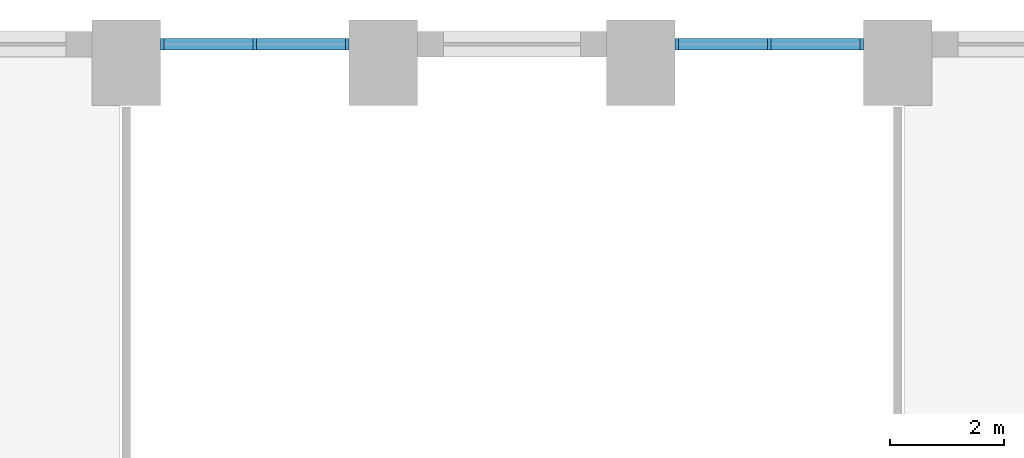
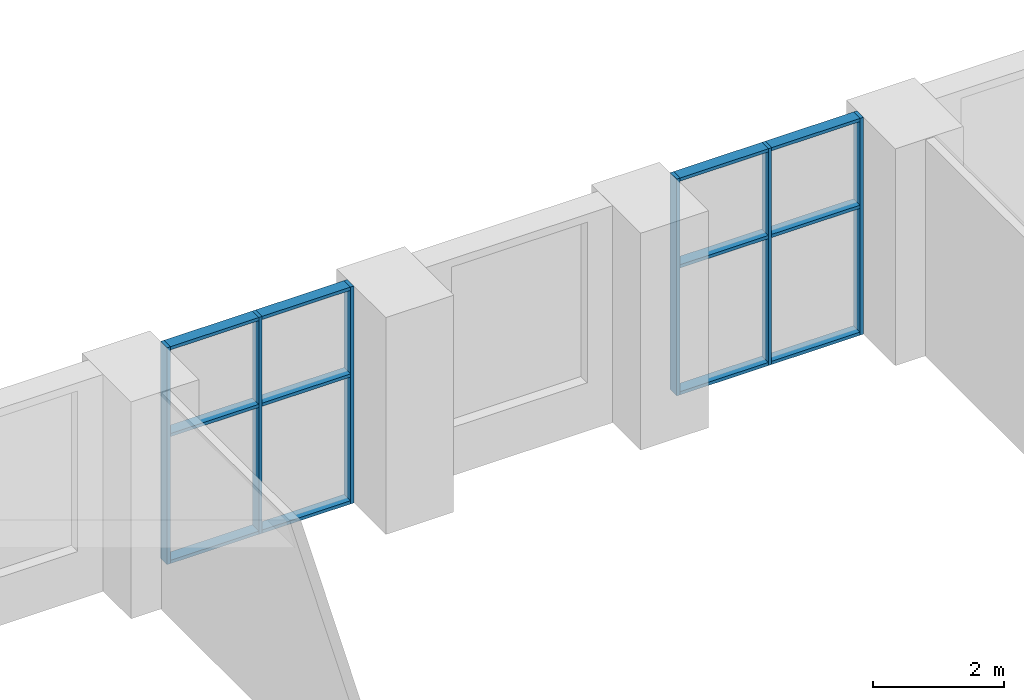
# One storey, part 8 of 42: 18 members, 2 elements without a shape of their own.
"""IFC4 building model written with IfcOpenShell, lengths in metres."""

import ifcopenshell
import ifcopenshell.guid

model = None  # the IFC model being written
_history = None  # IfcOwnerHistory: only IFC2X3 demands one
_inside = {}  # id of a spatial element -> (the spatial element, [elements in it])
_under = {}  # id of a project, library or spatial element -> (it, [spatial elements below it])
_declared = {}  # id of a project -> (the project, [libraries it declares])
_typed = {}  # id of a type object -> (the type object, [elements of that type])
_made_of = {}  # id of a material, layer set ... -> (it, [elements and type objects made of it])


def new_model(schema):
    """Start an empty IFC model of exactly this schema.

    Asked for "IFC4X3", IfcOpenShell would pick the latest addendum, in which some entities
    have other attributes; the version numbers below select the first issue.
    IFC2X3 requires an IfcOwnerHistory on every rooted entity: one is made here for all.
    """
    global model, _history
    if schema == "IFC4X3":
        model = ifcopenshell.file(schema_version=(4, 3, 0, 0))
    else:
        model = ifcopenshell.file(schema=schema)
    _inside.clear()
    _under.clear()
    _declared.clear()
    _typed.clear()
    _made_of.clear()
    _history = None
    if model.schema == "IFC2X3":
        org = make("IfcOrganization", Name="unknown")
        user = make(
            "IfcPersonAndOrganization",
            ThePerson=make("IfcPerson", FamilyName="unknown"),
            TheOrganization=org,
        )
        app = make(
            "IfcApplication",
            ApplicationDeveloper=org,
            Version="unknown",
            ApplicationFullName="unknown",
            ApplicationIdentifier="unknown",
        )
        _history = make(
            "IfcOwnerHistory",
            OwningUser=user,
            OwningApplication=app,
            ChangeAction="ADDED",
            CreationDate=0,
        )
    return model


def make(cls, **values):
    """One entity of the class cls with the attributes given. An attribute that is None is left unset."""
    return model.create_entity(
        cls, **{name: value for name, value in values.items() if value is not None}
    )


def rooted(cls, **values):
    """An entity with a GlobalId (a new one), such as an element, a storey or a relation."""
    return make(cls, GlobalId=ifcopenshell.guid.new(), OwnerHistory=_history, **values)


def si_unit(unit_type, name, prefix=None):
    """IfcSIUnit, for example si_unit("LENGTHUNIT", "METRE", prefix="MILLI")."""
    return make("IfcSIUnit", UnitType=unit_type, Prefix=prefix, Name=name)


def assignment(units):
    """IfcUnitAssignment: the units of a project."""
    return None if units is None else make("IfcUnitAssignment", Units=units)


def point(xyz):
    """IfcCartesianPoint."""
    return None if xyz is None else make("IfcCartesianPoint", Coordinates=xyz)


def direction(xyz):
    """IfcDirection."""
    return None if xyz is None else make("IfcDirection", DirectionRatios=xyz)


def frame(location, z_axis=None, x_axis=None):
    """IfcAxis2Placement3D, a coordinate frame: its origin and axes. An axis left out is left unset."""
    return make(
        "IfcAxis2Placement3D",
        Location=point(location),
        Axis=direction(z_axis),
        RefDirection=direction(x_axis),
    )


def frame_2d(location, x_axis=None):
    """IfcAxis2Placement2D, a coordinate frame in the plane: its origin and x axis."""
    return make(
        "IfcAxis2Placement2D", Location=point(location), RefDirection=direction(x_axis)
    )


def origin():
    """The frame at (0, 0, 0) with its axes left unset."""
    return frame((0.0, 0.0, 0.0))


def origin_2d():
    """The frame at (0, 0) in the plane with its x axis left unset."""
    return frame_2d((0.0, 0.0))


def place(relative_to, where):
    """IfcLocalPlacement: puts the frame where relative to a parent placement (None: the world)."""
    return make(
        "IfcLocalPlacement", PlacementRelTo=relative_to, RelativePlacement=where
    )


def context(
    kind, dimensions, precision=None, world=None, true_north=None, identifier=None
):
    """IfcGeometricRepresentationContext, for example the 3D "Model" context."""
    return make(
        "IfcGeometricRepresentationContext",
        ContextIdentifier=identifier,
        ContextType=kind,
        CoordinateSpaceDimension=dimensions,
        Precision=precision,
        WorldCoordinateSystem=world,
        TrueNorth=true_north,
    )


def subcontext(parent, identifier, kind, view, scale=None):
    """IfcGeometricRepresentationSubContext, for example "Body" below "Model"."""
    return make(
        "IfcGeometricRepresentationSubContext",
        ContextIdentifier=identifier,
        ContextType=kind,
        ParentContext=parent,
        TargetScale=scale,
        TargetView=view,
    )


def project(units=None, contexts=None):
    """IfcProject with its units and contexts."""
    return rooted(
        "IfcProject",
        Name="project",
        RepresentationContexts=contexts,
        UnitsInContext=assignment(units),
    )


def spatial(cls, under=None, at=None, **own):
    """A site, building, storey or space (cls), placed at a placement, below another one or the project."""
    s = rooted(cls, ObjectPlacement=at, **own)
    if under is not None:
        _under.setdefault(under.id(), (under, []))[1].append(s)
    return s


def profile(cls, at=None, kind="AREA", **sizes):
    """A parametric profile (cls). Its sizes go by their IFC names, for example OverallWidth=200.0."""
    return make(cls, ProfileType=kind, Position=at, **sizes)


def rectangle(**sizes):
    """IfcRectangleProfileDef."""
    return profile("IfcRectangleProfileDef", **sizes)


def extrude(swept, where, along, depth):
    """IfcExtrudedAreaSolid: the profile swept, set in the frame where, extruded along a direction by depth."""
    return make(
        "IfcExtrudedAreaSolid",
        SweptArea=swept,
        Position=where,
        ExtrudedDirection=direction(along),
        Depth=depth,
    )


def shape(context_of_items, identifier, shape_type, items):
    """IfcShapeRepresentation: the items that make up one representation, for example the "Body"."""
    return make(
        "IfcShapeRepresentation",
        ContextOfItems=context_of_items,
        RepresentationIdentifier=identifier,
        RepresentationType=shape_type,
        Items=items,
    )


def material(Name=None, Category=None):
    """IfcMaterial."""
    return make("IfcMaterial", Name=Name, Category=Category)


def layer(
    of_material, thickness, ventilated=None, Name=None, Category=None, Priority=None
):
    """IfcMaterialLayer: one layer of a wall or slab, of a material (None: an air gap)."""
    return make(
        "IfcMaterialLayer",
        Material=of_material,
        LayerThickness=thickness,
        IsVentilated=ventilated,
        Name=Name,
        Category=Category,
        Priority=Priority,
    )


def layer_set(layers, Name=None):
    """IfcMaterialLayerSet."""
    return make("IfcMaterialLayerSet", MaterialLayers=layers, LayerSetName=Name)


def material_profile(
    of_material, cross_section, Name=None, Category=None, Priority=None
):
    """IfcMaterialProfile: a cross section and its material."""
    return make(
        "IfcMaterialProfile",
        Name=Name,
        Material=of_material,
        Profile=cross_section,
        Priority=Priority,
        Category=Category,
    )


def profile_set(profiles, Name=None, composite=None):
    """IfcMaterialProfileSet."""
    return make(
        "IfcMaterialProfileSet",
        Name=Name,
        MaterialProfiles=profiles,
        CompositeProfile=composite,
    )


def made_of(thing, what):
    """Note that an element or type object is made of a material, layer set ...; save() writes the relation."""
    if what is not None:
        _made_of.setdefault(what.id(), (what, []))[1].append(thing)
    return thing


def type_object(cls, material=None, **own):
    """A type object (cls), such as IfcWallType, which elements share."""
    return made_of(rooted(cls, **own), material)


def element(
    cls,
    number,
    at=None,
    inside=None,
    cuts=None,
    type_object=None,
    material=None,
    context=None,
    identifier="Body",
    shape_type=None,
    held_by="IfcProductDefinitionShape",
    body=None,
    shapes=None,
    **own,
):
    """One element of the class cls, such as IfcWall. Its Tag is "e" and its number.

    at: its placement. inside: the storey or other place that contains it. cuts: it is an
    opening in that element (IfcRelVoidsElement). A single representation is given by context,
    identifier, shape_type and body (its items); several are given by shapes. held_by: the class
    of the entity that holds the representations. save() writes the other relations.
    """
    e = rooted(cls, Tag="e%d" % number, ObjectPlacement=at, **own)
    if body is not None:
        shapes = [shape(context, identifier, shape_type, body)]
    if shapes is not None:
        e.Representation = make(held_by, Representations=shapes)
    if inside is not None:
        _inside.setdefault(inside.id(), (inside, []))[1].append(e)
    if cuts is not None:
        rooted(
            "IfcRelVoidsElement", RelatingBuildingElement=cuts, RelatedOpeningElement=e
        )
    if type_object is not None:
        _typed.setdefault(type_object.id(), (type_object, []))[1].append(e)
    return made_of(e, material)


def aggregate(whole, parts):
    """IfcRelAggregates: a whole, such as a stair, and the parts it consists of."""
    return rooted("IfcRelAggregates", RelatingObject=whole, RelatedObjects=parts)


def save(model, path):
    """Write the relations noted so far, then the file.

    IfcRelAggregates (storeys below a building ...), IfcRelContainedInSpatialStructure (elements
    in a storey), IfcRelDefinesByType, IfcRelAssociatesMaterial and IfcRelDeclares: one each for
    every whole, place, type object, material and project.
    """
    for whole, parts in _under.values():
        aggregate(whole, parts)
    for where, things in _inside.values():
        rooted(
            "IfcRelContainedInSpatialStructure",
            RelatedElements=things,
            RelatingStructure=where,
        )
    for kind, things in _typed.values():
        rooted("IfcRelDefinesByType", RelatedObjects=things, RelatingType=kind)
    for what, things in _made_of.values():
        rooted("IfcRelAssociatesMaterial", RelatedObjects=things, RelatingMaterial=what)
    for by, libraries in _declared.values():
        rooted("IfcRelDeclares", RelatingContext=by, RelatedDefinitions=libraries)
    model.write(path)


model = new_model("IFC4")

# Units and contexts
model_context = context("Model", 3, precision=1e-05, world=origin(), true_north=direction((0.0, 1.0)))
body_context = subcontext(model_context, "Body", "Model", "MODEL_VIEW")
ifc_project = project(units=[si_unit("LENGTHUNIT", "METRE"), si_unit("AREAUNIT", "SQUARE_METRE"), si_unit("VOLUMEUNIT", "CUBIC_METRE"), si_unit("PLANEANGLEUNIT", "RADIAN"), si_unit("MASSUNIT", "GRAM", prefix="KILO")], contexts=[model_context])

# Site, building, storey
site_placement = place(None, origin())
site = spatial("IfcSite", under=ifc_project, at=site_placement, CompositionType="ELEMENT")
building_placement = place(site_placement, origin())
building = spatial("IfcBuilding", under=site, at=building_placement, Name="Dhurran Vertical Campus", CompositionType="ELEMENT")
storey_placement = place(building_placement, frame((0.0, 0.0, 6.0)))
storey = spatial("IfcBuildingStorey", under=building, at=storey_placement, Name="L01", CompositionType="ELEMENT", Elevation=6.0)

# Curtain wall, members
ifc_material_1 = material(Name="Aluminium frame with solar-control glass", Category="aluminium")
ifc_layer = layer(ifc_material_1, 0.199951171875)
ifc_layer_set = layer_set([ifc_layer], Name="Aluminium frame with solar-control glass")
curtain_wall_type = type_object("IfcCurtainWallType", Name="Entrance glazing system", PredefinedType="NOTDEFINED", material=ifc_layer_set)
curtain_wall_1_placement = place(storey_placement, origin())
curtain_wall_1 = element("IfcCurtainWall", 1, at=curtain_wall_1_placement, inside=storey, type_object=curtain_wall_type, Name="CW1 L01.43", PredefinedType="NOTDEFINED")
ifc_material_2 = material(Name="Aluminium mullion", Category="aluminium")
ifc_material_profile_1 = material_profile(ifc_material_2, rectangle(XDim=0.199951171875, YDim=0.06005859375, at=origin_2d()), Name="Entrance glazing system mullion")
ifc_profile_set_1 = profile_set([ifc_material_profile_1], Name="Aluminium mullion")
member_type_1 = type_object("IfcMemberType", Name="Entrance glazing system mullion", PredefinedType="MULLION", material=ifc_profile_set_1)
member_1_placement = place(storey_placement, frame((6.119384765625, 46.943359375, 0.0), z_axis=(0.0, 0.0, 1.0), x_axis=(0.0, -1.0, 0.0)))
member_1 = element("IfcMember", 2, at=member_1_placement, type_object=member_type_1, Name="CW1 mullion 1", PredefinedType="MULLION", context=body_context, shape_type="SweptSolid", body=[
    extrude(rectangle(XDim=0.199951171875, YDim=0.06005859375, at=origin_2d()), origin(), (0.0, 0.0, 1.0), 4.050048828125),
])
member_2_placement = place(storey_placement, frame((4.5, 46.943359375, 0.0), z_axis=(0.0, 0.0, 1.0), x_axis=(0.0, -1.0, 0.0)))
member_2 = element("IfcMember", 3, at=member_2_placement, type_object=member_type_1, Name="CW1 mullion 2", PredefinedType="MULLION", context=body_context, shape_type="SweptSolid", body=[
    extrude(rectangle(XDim=0.199951171875, YDim=0.06005859375, at=origin_2d()), origin(), (0.0, 0.0, 1.0), 4.050048828125),
])
member_3_placement = place(storey_placement, frame((2.880615234375, 46.943359375, 0.0), z_axis=(0.0, 0.0, 1.0), x_axis=(0.0, -1.0, 0.0)))
member_3 = element("IfcMember", 4, at=member_3_placement, type_object=member_type_1, Name="CW1 mullion 3", PredefinedType="MULLION", context=body_context, shape_type="SweptSolid", body=[
    extrude(rectangle(XDim=0.199951171875, YDim=0.06005859375, at=origin_2d()), origin(), (0.0, 0.0, 1.0), 4.050048828125),
])

curtain_wall_2_placement = place(storey_placement, origin())
curtain_wall_2 = element("IfcCurtainWall", 5, at=curtain_wall_2_placement, inside=storey, type_object=curtain_wall_type, Name="CW1 L01.45", PredefinedType="NOTDEFINED")
member_4_placement = place(storey_placement, frame((-2.880615234375, 46.943359375, 0.0), z_axis=(0.0, 0.0, 1.0), x_axis=(0.0, -1.0, 0.0)))
member_4 = element("IfcMember", 6, at=member_4_placement, type_object=member_type_1, Name="CW1 mullion 1", PredefinedType="MULLION", context=body_context, shape_type="SweptSolid", body=[
    extrude(rectangle(XDim=0.199951171875, YDim=0.06005859375, at=origin_2d()), origin(), (0.0, 0.0, 1.0), 4.050048828125),
])
member_5_placement = place(storey_placement, frame((-4.5, 46.943359375, 0.0), z_axis=(0.0, 0.0, 1.0), x_axis=(0.0, -1.0, 0.0)))
member_5 = element("IfcMember", 7, at=member_5_placement, type_object=member_type_1, Name="CW1 mullion 2", PredefinedType="MULLION", context=body_context, shape_type="SweptSolid", body=[
    extrude(rectangle(XDim=0.199951171875, YDim=0.06005859375, at=origin_2d()), origin(), (0.0, 0.0, 1.0), 4.050048828125),
])
member_6_placement = place(storey_placement, frame((-6.119384765625, 46.943359375, 0.0), z_axis=(0.0, 0.0, 1.0), x_axis=(0.0, -1.0, 0.0)))
member_6 = element("IfcMember", 8, at=member_6_placement, type_object=member_type_1, Name="CW1 mullion 3", PredefinedType="MULLION", context=body_context, shape_type="SweptSolid", body=[
    extrude(rectangle(XDim=0.199951171875, YDim=0.06005859375, at=origin_2d()), origin(), (0.0, 0.0, 1.0), 4.050048828125),
])

# Member
ifc_material_3 = material(Name="Aluminium transom", Category="aluminium")
ifc_material_profile_2 = material_profile(ifc_material_3, rectangle(XDim=0.199951171875, YDim=0.06005859375, at=origin_2d()), Name="Entrance glazing system transom")
ifc_profile_set_2 = profile_set([ifc_material_profile_2], Name="Aluminium transom")
member_type_2 = type_object("IfcMemberType", Name="Entrance glazing system transom", PredefinedType="USERDEFINED", material=ifc_profile_set_2)
member_7_placement = place(storey_placement, frame((6.089599609375, 46.943359375, 0.030029296875), z_axis=(-1.0, 0.0, 0.0), x_axis=(0.0, -1.0, 0.0)))
member_7 = element("IfcMember", 9, at=member_7_placement, type_object=member_type_2, Name="CW1 transom 1.1", ObjectType="TRANSOM", PredefinedType="USERDEFINED", context=body_context, shape_type="SweptSolid", body=[
    extrude(rectangle(XDim=0.199951171875, YDim=0.06005859375, at=origin_2d()), origin(), (0.0, 0.0, 1.0), 1.5595703125),
])

member_8_placement = place(storey_placement, frame((6.089599609375, 46.943359375, 2.39990234375), z_axis=(-1.0, 0.0, 0.0), x_axis=(0.0, -1.0, 0.0)))
member_8 = element("IfcMember", 10, at=member_8_placement, type_object=member_type_2, Name="CW1 transom 1.2", ObjectType="TRANSOM", PredefinedType="USERDEFINED", context=body_context, shape_type="SweptSolid", body=[
    extrude(rectangle(XDim=0.199951171875, YDim=0.06005859375, at=origin_2d()), origin(), (0.0, 0.0, 1.0), 1.5595703125),
])

member_9_placement = place(storey_placement, frame((6.089599609375, 46.943359375, 4.02001953125), z_axis=(-1.0, 0.0, 0.0), x_axis=(0.0, -1.0, 0.0)))
member_9 = element("IfcMember", 11, at=member_9_placement, type_object=member_type_2, Name="CW1 transom 1.3", ObjectType="TRANSOM", PredefinedType="USERDEFINED", context=body_context, shape_type="SweptSolid", body=[
    extrude(rectangle(XDim=0.199951171875, YDim=0.06005859375, at=origin_2d()), origin(), (0.0, 0.0, 1.0), 1.5595703125),
])

member_10_placement = place(storey_placement, frame((4.469970703125, 46.943359375, 0.030029296875), z_axis=(-1.0, 0.0, 0.0), x_axis=(0.0, -1.0, 0.0)))
member_10 = element("IfcMember", 12, at=member_10_placement, type_object=member_type_2, Name="CW1 transom 2.1", ObjectType="TRANSOM", PredefinedType="USERDEFINED", context=body_context, shape_type="SweptSolid", body=[
    extrude(rectangle(XDim=0.199951171875, YDim=0.06005859375, at=origin_2d()), origin(), (0.0, 0.0, 1.0), 1.5595703125),
])

member_11_placement = place(storey_placement, frame((4.469970703125, 46.943359375, 2.39990234375), z_axis=(-1.0, 0.0, 0.0), x_axis=(0.0, -1.0, 0.0)))
member_11 = element("IfcMember", 13, at=member_11_placement, type_object=member_type_2, Name="CW1 transom 2.2", ObjectType="TRANSOM", PredefinedType="USERDEFINED", context=body_context, shape_type="SweptSolid", body=[
    extrude(rectangle(XDim=0.199951171875, YDim=0.06005859375, at=origin_2d()), origin(), (0.0, 0.0, 1.0), 1.5595703125),
])

member_12_placement = place(storey_placement, frame((4.469970703125, 46.943359375, 4.02001953125), z_axis=(-1.0, 0.0, 0.0), x_axis=(0.0, -1.0, 0.0)))
member_12 = element("IfcMember", 14, at=member_12_placement, type_object=member_type_2, Name="CW1 transom 2.3", ObjectType="TRANSOM", PredefinedType="USERDEFINED", context=body_context, shape_type="SweptSolid", body=[
    extrude(rectangle(XDim=0.199951171875, YDim=0.06005859375, at=origin_2d()), origin(), (0.0, 0.0, 1.0), 1.5595703125),
])

aggregate(curtain_wall_1, [member_1, member_2, member_3, member_7, member_8, member_9, member_10, member_11, member_12])

member_13_placement = place(storey_placement, frame((-2.910400390625, 46.943359375, 0.030029296875), z_axis=(-1.0, 0.0, 0.0), x_axis=(0.0, -1.0, 0.0)))
member_13 = element("IfcMember", 15, at=member_13_placement, type_object=member_type_2, Name="CW1 transom 1.1", ObjectType="TRANSOM", PredefinedType="USERDEFINED", context=body_context, shape_type="SweptSolid", body=[
    extrude(rectangle(XDim=0.199951171875, YDim=0.06005859375, at=origin_2d()), origin(), (0.0, 0.0, 1.0), 1.5595703125),
])

member_14_placement = place(storey_placement, frame((-2.910400390625, 46.943359375, 2.39990234375), z_axis=(-1.0, 0.0, 0.0), x_axis=(0.0, -1.0, 0.0)))
member_14 = element("IfcMember", 16, at=member_14_placement, type_object=member_type_2, Name="CW1 transom 1.2", ObjectType="TRANSOM", PredefinedType="USERDEFINED", context=body_context, shape_type="SweptSolid", body=[
    extrude(rectangle(XDim=0.199951171875, YDim=0.06005859375, at=origin_2d()), origin(), (0.0, 0.0, 1.0), 1.5595703125),
])

member_15_placement = place(storey_placement, frame((-2.910400390625, 46.943359375, 4.02001953125), z_axis=(-1.0, 0.0, 0.0), x_axis=(0.0, -1.0, 0.0)))
member_15 = element("IfcMember", 17, at=member_15_placement, type_object=member_type_2, Name="CW1 transom 1.3", ObjectType="TRANSOM", PredefinedType="USERDEFINED", context=body_context, shape_type="SweptSolid", body=[
    extrude(rectangle(XDim=0.199951171875, YDim=0.06005859375, at=origin_2d()), origin(), (0.0, 0.0, 1.0), 1.5595703125),
])

member_16_placement = place(storey_placement, frame((-4.530029296875, 46.943359375, 0.030029296875), z_axis=(-1.0, 0.0, 0.0), x_axis=(0.0, -1.0, 0.0)))
member_16 = element("IfcMember", 18, at=member_16_placement, type_object=member_type_2, Name="CW1 transom 2.1", ObjectType="TRANSOM", PredefinedType="USERDEFINED", context=body_context, shape_type="SweptSolid", body=[
    extrude(rectangle(XDim=0.199951171875, YDim=0.06005859375, at=origin_2d()), origin(), (0.0, 0.0, 1.0), 1.5595703125),
])

member_17_placement = place(storey_placement, frame((-4.530029296875, 46.943359375, 2.39990234375), z_axis=(-1.0, 0.0, 0.0), x_axis=(0.0, -1.0, 0.0)))
member_17 = element("IfcMember", 19, at=member_17_placement, type_object=member_type_2, Name="CW1 transom 2.2", ObjectType="TRANSOM", PredefinedType="USERDEFINED", context=body_context, shape_type="SweptSolid", body=[
    extrude(rectangle(XDim=0.199951171875, YDim=0.06005859375, at=origin_2d()), origin(), (0.0, 0.0, 1.0), 1.5595703125),
])

member_18_placement = place(storey_placement, frame((-4.530029296875, 46.943359375, 4.02001953125), z_axis=(-1.0, 0.0, 0.0), x_axis=(0.0, -1.0, 0.0)))
member_18 = element("IfcMember", 20, at=member_18_placement, type_object=member_type_2, Name="CW1 transom 2.3", ObjectType="TRANSOM", PredefinedType="USERDEFINED", context=body_context, shape_type="SweptSolid", body=[
    extrude(rectangle(XDim=0.199951171875, YDim=0.06005859375, at=origin_2d()), origin(), (0.0, 0.0, 1.0), 1.5595703125),
])

aggregate(curtain_wall_2, [member_4, member_5, member_6, member_13, member_14, member_15, member_16, member_17, member_18])

save(model, "model.ifc")
